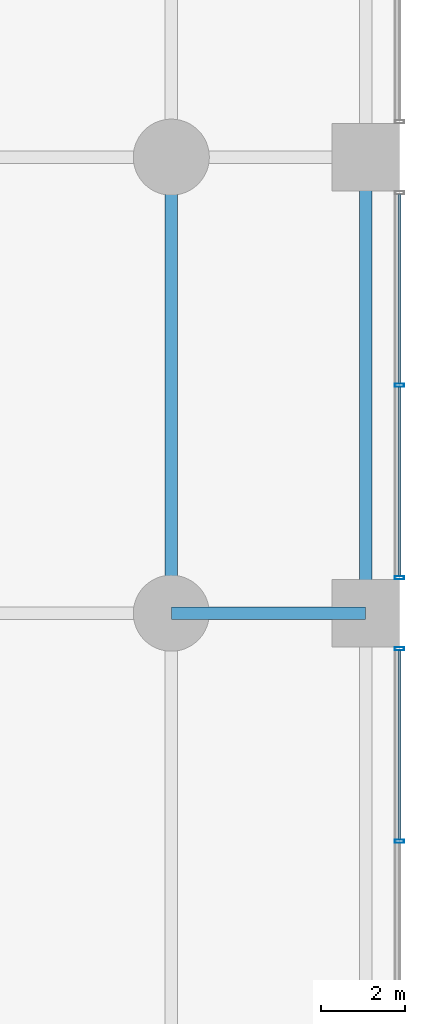
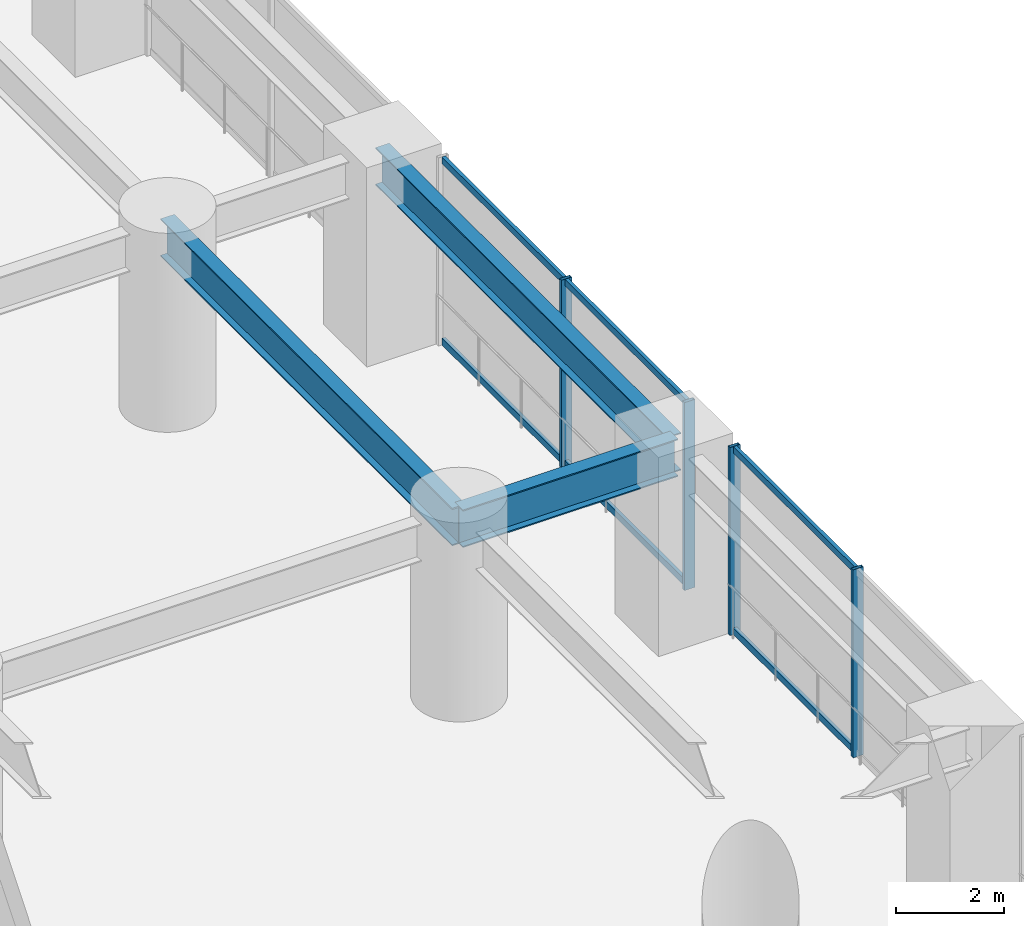
# One storey, part 20 of 36: 10 members, 3 beams, 2 elements without a shape of their own.
"""IFC4 building model written with IfcOpenShell, lengths in metres."""

from ifc_helpers import new_model, si_unit, direction, frame, origin, origin_2d, place, context, subcontext, project, spatial, hollow_rectangle, i_section, extrude, material, layer, layer_set, material_profile, profile_set, type_object, element, aggregate, save


model = new_model("IFC4")

# Units and contexts
model_context = context("Model", 3, precision=1e-05, world=origin(), true_north=direction((0.0, 1.0)))
body_context = subcontext(model_context, "Body", "Model", "MODEL_VIEW")
ifc_project = project(units=[si_unit("LENGTHUNIT", "METRE"), si_unit("AREAUNIT", "SQUARE_METRE"), si_unit("VOLUMEUNIT", "CUBIC_METRE"), si_unit("PLANEANGLEUNIT", "RADIAN"), si_unit("MASSUNIT", "GRAM", prefix="KILO")], contexts=[model_context])

# Site, building, storey
site_placement = place(None, origin())
site = spatial("IfcSite", under=ifc_project, at=site_placement, CompositionType="ELEMENT")
building_placement = place(site_placement, origin())
building = spatial("IfcBuilding", under=site, at=building_placement, Name="Surkhivell Harbour Commons", CompositionType="ELEMENT")
storey_placement = place(building_placement, frame((0.0, 0.0, 9.0)))
storey = spatial("IfcBuildingStorey", under=building, at=storey_placement, Name="L02", CompositionType="ELEMENT", Elevation=9.0)

# Beams
ifc_material_1 = material(Name="Steel S460", Category="steel")
ifc_material_profile_1 = material_profile(ifc_material_1, i_section(OverallWidth=0.2939453125, OverallDepth=0.85107421875, WebThickness=0.01611328125, FlangeThickness=0.02685546875, at=origin_2d()), Name="UB838x292x226")
ifc_profile_set_1 = profile_set([ifc_material_profile_1], Name="Steel S460")
beam_type = type_object("IfcBeamType", Name="BM-SPN-838", PredefinedType="SPANDREL", material=ifc_profile_set_1)
beam_1_placement = place(storey_placement, frame((32.39990234375, -10.800048828125, 3.824462890625), z_axis=(0.0, 1.0, 0.0), x_axis=(-1.0, 0.0, 0.0)))
element("IfcBeam", 1, at=beam_1_placement, inside=storey, type_object=beam_type, Name="L02 Framing Beam (32.4,-10.8)", PredefinedType="SPANDREL", context=body_context, shape_type="SweptSolid", body=[
    extrude(i_section(OverallWidth=0.2939453125, OverallDepth=0.85107421875, WebThickness=0.01611328125, FlangeThickness=0.02685546875, at=origin_2d()), origin(), (0.0, 0.0, 1.0), 10.800048828125),
])
beam_2_placement = place(storey_placement, frame((32.39990234375, -10.800048828125, 3.824462890625), z_axis=(1.0, 0.0, 0.0), x_axis=(0.0, 1.0, 0.0)))
element("IfcBeam", 2, at=beam_2_placement, inside=storey, type_object=beam_type, Name="L02 Framing Beam (32.4,-10.8)", PredefinedType="SPANDREL", context=body_context, shape_type="SweptSolid", body=[
    extrude(i_section(OverallWidth=0.2939453125, OverallDepth=0.85107421875, WebThickness=0.01611328125, FlangeThickness=0.02685546875, at=origin_2d()), origin(), (0.0, 0.0, 1.0), 4.60009765625),
])
beam_3_placement = place(storey_placement, frame((37.0, -10.800048828125, 3.824462890625), z_axis=(0.0, 1.0, 0.0), x_axis=(-1.0, 0.0, 0.0)))
element("IfcBeam", 3, at=beam_3_placement, inside=storey, type_object=beam_type, Name="L02 Framing Beam (37.0,-10.8)", PredefinedType="SPANDREL", context=body_context, shape_type="SweptSolid", body=[
    extrude(i_section(OverallWidth=0.2939453125, OverallDepth=0.85107421875, WebThickness=0.01611328125, FlangeThickness=0.02685546875, at=origin_2d()), origin(), (0.0, 0.0, 1.0), 10.800048828125),
])

# Curtain wall, members
ifc_material_2 = material(Name="Anodised pale-metal aluminium and insulated glazing", Category="aluminium")
ifc_layer = layer(ifc_material_2, 0.239990234375)
ifc_layer_set = layer_set([ifc_layer], Name="Anodised pale-metal aluminium and insulated glazing")
curtain_wall_type = type_object("IfcCurtainWallType", Name="CW-SYS-POD", PredefinedType="NOTDEFINED", material=ifc_layer_set)
curtain_wall_1_placement = place(storey_placement, origin())
curtain_wall_1 = element("IfcCurtainWall", 4, at=curtain_wall_1_placement, inside=storey, type_object=curtain_wall_type, Name="L02 Curtain Wall CW-L02-E2", PredefinedType="NOTDEFINED")
ifc_material_3 = material(Name="Anodised pale-metal aluminium alloy 6063-T6", Category="aluminium")
ifc_material_profile_2 = material_profile(ifc_material_3, hollow_rectangle(XDim=0.074951171875, YDim=0.219970703125, WallThickness=0.00390625, at=origin_2d()), Name="ALU-MULL-75x220")
ifc_profile_set_2 = profile_set([ifc_material_profile_2], Name="Anodised pale-metal aluminium alloy 6063-T6")
member_type_1 = type_object("IfcMemberType", Name="CWM-220", PredefinedType="MULLION", material=ifc_profile_set_2)
member_1_placement = place(storey_placement, frame((37.800048828125, -11.639404296875, 0.0), z_axis=(0.0, 0.0, 1.0), x_axis=(0.0, -1.0, 0.0)))
member_1 = element("IfcMember", 5, at=member_1_placement, type_object=member_type_1, Name="CW-POD mullion 1", PredefinedType="MULLION", context=body_context, shape_type="SweptSolid", body=[
    extrude(hollow_rectangle(XDim=0.074951171875, YDim=0.219970703125, WallThickness=0.00390625, at=origin_2d()), origin(), (0.0, 0.0, 1.0), 4.25),
])
member_2_placement = place(storey_placement, frame((37.800048828125, -16.199951171875, 0.0), z_axis=(0.0, 0.0, 1.0), x_axis=(0.0, -1.0, 0.0)))
member_2 = element("IfcMember", 6, at=member_2_placement, type_object=member_type_1, Name="CW-POD mullion 2", PredefinedType="MULLION", context=body_context, shape_type="SweptSolid", body=[
    extrude(hollow_rectangle(XDim=0.074951171875, YDim=0.219970703125, WallThickness=0.00390625, at=origin_2d()), origin(), (0.0, 0.0, 1.0), 4.25),
])

curtain_wall_2_placement = place(storey_placement, origin())
curtain_wall_2 = element("IfcCurtainWall", 7, at=curtain_wall_2_placement, inside=storey, type_object=curtain_wall_type, Name="L02 Curtain Wall CW-L02-E3", PredefinedType="NOTDEFINED")
member_3_placement = place(storey_placement, frame((37.800048828125, -5.39990234375, 0.0), z_axis=(0.0, 0.0, 1.0), x_axis=(0.0, -1.0, 0.0)))
member_3 = element("IfcMember", 8, at=member_3_placement, type_object=member_type_1, Name="CW-POD mullion 2", PredefinedType="MULLION", context=body_context, shape_type="SweptSolid", body=[
    extrude(hollow_rectangle(XDim=0.074951171875, YDim=0.219970703125, WallThickness=0.00390625, at=origin_2d()), origin(), (0.0, 0.0, 1.0), 4.25),
])
member_4_placement = place(storey_placement, frame((37.800048828125, -9.96044921875, 0.0), z_axis=(0.0, 0.0, 1.0), x_axis=(0.0, -1.0, 0.0)))
member_4 = element("IfcMember", 9, at=member_4_placement, type_object=member_type_1, Name="CW-POD mullion 3", PredefinedType="MULLION", context=body_context, shape_type="SweptSolid", body=[
    extrude(hollow_rectangle(XDim=0.074951171875, YDim=0.219970703125, WallThickness=0.00390625, at=origin_2d()), origin(), (0.0, 0.0, 1.0), 4.25),
])

# Member
ifc_material_profile_3 = material_profile(ifc_material_3, hollow_rectangle(XDim=0.074951171875, YDim=0.14990234375, WallThickness=0.00341796875, at=origin_2d()), Name="ALU-TRAN-75x150")
ifc_profile_set_3 = profile_set([ifc_material_profile_3], Name="Anodised pale-metal aluminium alloy 6063-T6")
member_type_2 = type_object("IfcMemberType", Name="CWT-150", PredefinedType="USERDEFINED", material=ifc_profile_set_3)
member_5_placement = place(storey_placement, frame((37.800048828125, -11.677001953125, 0.074951171875), z_axis=(0.0, -1.0, 0.0), x_axis=(1.0, 0.0, 0.0)))
member_5 = element("IfcMember", 10, at=member_5_placement, type_object=member_type_2, Name="CW-POD transom 1.1", ObjectType="TRANSOM", PredefinedType="USERDEFINED", context=body_context, shape_type="SweptSolid", body=[
    extrude(hollow_rectangle(XDim=0.074951171875, YDim=0.14990234375, WallThickness=0.00341796875, at=origin_2d()), origin(), (0.0, 0.0, 1.0), 4.485595703125),
])

member_6_placement = place(storey_placement, frame((37.800048828125, -11.677001953125, 4.175048828125), z_axis=(0.0, -1.0, 0.0), x_axis=(1.0, 0.0, 0.0)))
member_6 = element("IfcMember", 11, at=member_6_placement, type_object=member_type_2, Name="CW-POD transom 1.2", ObjectType="TRANSOM", PredefinedType="USERDEFINED", context=body_context, shape_type="SweptSolid", body=[
    extrude(hollow_rectangle(XDim=0.074951171875, YDim=0.14990234375, WallThickness=0.00341796875, at=origin_2d()), origin(), (0.0, 0.0, 1.0), 4.485595703125),
])

aggregate(curtain_wall_1, [member_1, member_2, member_5, member_6])

member_7_placement = place(storey_placement, frame((37.800048828125, -0.876953125, 0.074951171875), z_axis=(0.0, -1.0, 0.0), x_axis=(1.0, 0.0, 0.0)))
member_7 = element("IfcMember", 12, at=member_7_placement, type_object=member_type_2, Name="CW-POD transom 1.1", ObjectType="TRANSOM", PredefinedType="USERDEFINED", context=body_context, shape_type="SweptSolid", body=[
    extrude(hollow_rectangle(XDim=0.074951171875, YDim=0.14990234375, WallThickness=0.00341796875, at=origin_2d()), origin(), (0.0, 0.0, 1.0), 4.485595703125),
])

member_8_placement = place(storey_placement, frame((37.800048828125, -0.876953125, 4.175048828125), z_axis=(0.0, -1.0, 0.0), x_axis=(1.0, 0.0, 0.0)))
member_8 = element("IfcMember", 13, at=member_8_placement, type_object=member_type_2, Name="CW-POD transom 1.2", ObjectType="TRANSOM", PredefinedType="USERDEFINED", context=body_context, shape_type="SweptSolid", body=[
    extrude(hollow_rectangle(XDim=0.074951171875, YDim=0.14990234375, WallThickness=0.00341796875, at=origin_2d()), origin(), (0.0, 0.0, 1.0), 4.485595703125),
])

member_9_placement = place(storey_placement, frame((37.800048828125, -5.4375, 0.074951171875), z_axis=(0.0, -1.0, 0.0), x_axis=(1.0, 0.0, 0.0)))
member_9 = element("IfcMember", 14, at=member_9_placement, type_object=member_type_2, Name="CW-POD transom 2.1", ObjectType="TRANSOM", PredefinedType="USERDEFINED", context=body_context, shape_type="SweptSolid", body=[
    extrude(hollow_rectangle(XDim=0.074951171875, YDim=0.14990234375, WallThickness=0.00341796875, at=origin_2d()), origin(), (0.0, 0.0, 1.0), 4.485595703125),
])

member_10_placement = place(storey_placement, frame((37.800048828125, -5.4375, 4.175048828125), z_axis=(0.0, -1.0, 0.0), x_axis=(1.0, 0.0, 0.0)))
member_10 = element("IfcMember", 15, at=member_10_placement, type_object=member_type_2, Name="CW-POD transom 2.2", ObjectType="TRANSOM", PredefinedType="USERDEFINED", context=body_context, shape_type="SweptSolid", body=[
    extrude(hollow_rectangle(XDim=0.074951171875, YDim=0.14990234375, WallThickness=0.00341796875, at=origin_2d()), origin(), (0.0, 0.0, 1.0), 4.485595703125),
])

aggregate(curtain_wall_2, [member_3, member_4, member_7, member_8, member_9, member_10])

save(model, "model.ifc")
